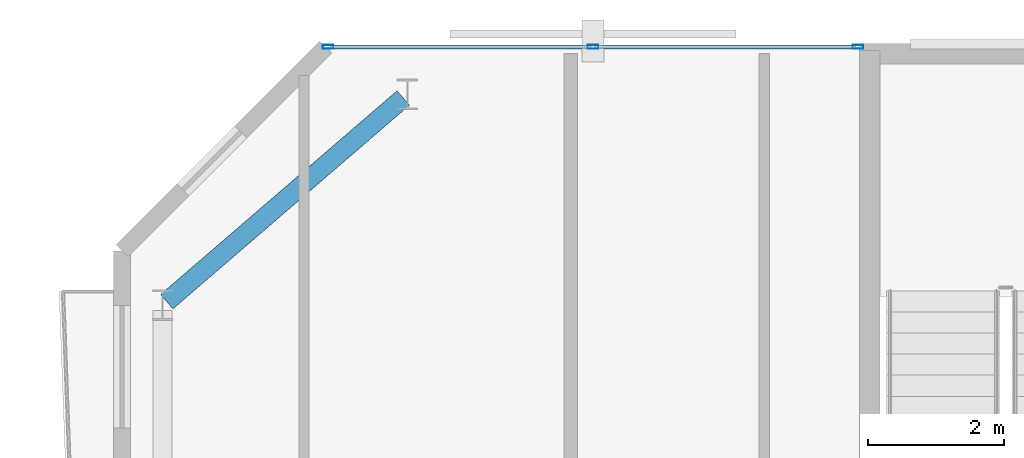
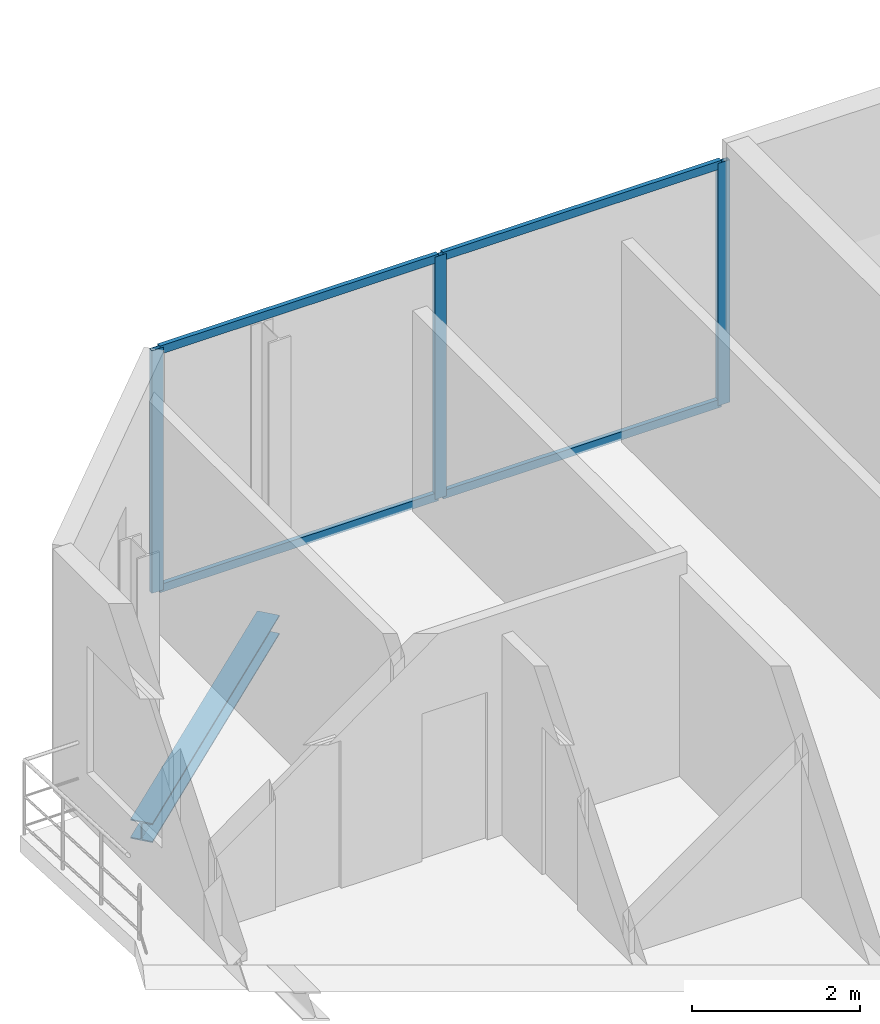
# One storey, part 16 of 22: 7 members, 1 beam, 1 element without a shape of its own.
"""IFC4 building model written with IfcOpenShell, lengths in metres."""

from ifc_helpers import new_model, si_unit, direction, frame, origin, origin_2d, place, context, subcontext, project, spatial, hollow_rectangle, i_section, extrude, material, layer, layer_set, material_profile, profile_set, type_object, element, aggregate, save


model = new_model("IFC4")

# Units and contexts
model_context = context("Model", 3, precision=1e-05, world=origin(), true_north=direction((0.0, 1.0)))
body_context = subcontext(model_context, "Body", "Model", "MODEL_VIEW")
ifc_project = project(units=[si_unit("LENGTHUNIT", "METRE"), si_unit("AREAUNIT", "SQUARE_METRE"), si_unit("VOLUMEUNIT", "CUBIC_METRE"), si_unit("PLANEANGLEUNIT", "RADIAN"), si_unit("MASSUNIT", "GRAM", prefix="KILO")], contexts=[model_context])

# Site, building, storey
site_placement = place(None, origin())
site = spatial("IfcSite", under=ifc_project, at=site_placement, CompositionType="ELEMENT")
building_placement = place(site_placement, origin())
building = spatial("IfcBuilding", under=site, at=building_placement, Name="Catumbela Crestline Tower", CompositionType="ELEMENT")
storey_placement = place(building_placement, frame((0.0, 0.0, 226.0)))
storey = spatial("IfcBuildingStorey", under=building, at=storey_placement, Name="L58", CompositionType="ELEMENT", Elevation=226.0)

# Curtain wall, members
ifc_material_1 = material(Name="Aluminium alloy AW-6060-T66", Category="aluminium")
ifc_layer = layer(ifc_material_1, 0.18, Name="Aluminium alloy AW-6060-T66")
ifc_layer_set = layer_set([ifc_layer], Name="Aluminium alloy AW-6060-T66")
curtain_wall_type = type_object("IfcCurtainWallType", Name="CWU-Z4", PredefinedType="USERDEFINED", material=ifc_layer_set)
curtain_wall_placement = place(storey_placement, origin())
curtain_wall = element("IfcCurtainWall", 1, at=curtain_wall_placement, inside=storey, type_object=curtain_wall_type, Name="L58 Unitised Curtain Wall CW-L58-E7S2", ObjectType="UNITISED", PredefinedType="USERDEFINED")
ifc_material_profile_1 = material_profile(ifc_material_1, hollow_rectangle(XDim=0.06, YDim=0.16, WallThickness=0.004, at=origin_2d()), Name="ALU 160x60x4")
ifc_profile_set_1 = profile_set([ifc_material_profile_1], Name="Aluminium alloy AW-6060-T66")
member_type_1 = type_object("IfcMemberType", Name="MUL-160X60", PredefinedType="MULLION", material=ifc_profile_set_1)
member_1_placement = place(storey_placement, frame((15.8275, 43.0, 0.0), z_axis=(0.0, 0.0, 1.0), x_axis=(0.0, -1.0, 0.0)))
member_1 = element("IfcMember", 2, at=member_1_placement, type_object=member_type_1, Name="CWU-Z4 mullion 1", PredefinedType="MULLION", context=body_context, shape_type="SweptSolid", body=[
    extrude(hollow_rectangle(XDim=0.06, YDim=0.16, WallThickness=0.004, at=origin_2d()), origin(), (0.0, 0.0, 1.0), 3.53),
])
member_2_placement = place(storey_placement, frame((11.93, 43.0, 0.0), z_axis=(0.0, 0.0, 1.0), x_axis=(0.0, -1.0, 0.0)))
member_2 = element("IfcMember", 3, at=member_2_placement, type_object=member_type_1, Name="CWU-Z4 mullion 2", PredefinedType="MULLION", context=body_context, shape_type="SweptSolid", body=[
    extrude(hollow_rectangle(XDim=0.06, YDim=0.16, WallThickness=0.004, at=origin_2d()), origin(), (0.0, 0.0, 1.0), 3.53),
])
member_3_placement = place(storey_placement, frame((8.0325, 43.0, 0.0), z_axis=(0.0, 0.0, 1.0), x_axis=(0.0, -1.0, 0.0)))
member_3 = element("IfcMember", 4, at=member_3_placement, type_object=member_type_1, Name="CWU-Z4 mullion 3", PredefinedType="MULLION", context=body_context, shape_type="SweptSolid", body=[
    extrude(hollow_rectangle(XDim=0.06, YDim=0.16, WallThickness=0.004, at=origin_2d()), origin(), (0.0, 0.0, 1.0), 3.53),
])

# Beam
ifc_material_2 = material(Name="Structural steel S355J2", Category="steel")
ifc_material_profile_2 = material_profile(ifc_material_2, i_section(OverallWidth=0.28, OverallDepth=0.28, WebThickness=0.0105, FlangeThickness=0.018, FilletRadius=0.024, at=origin_2d()), Name="HEB 280")
ifc_profile_set_2 = profile_set([ifc_material_profile_2], Name="Structural steel S355J2")
beam_type = type_object("IfcBeamType", Name="BS-HEB280", PredefinedType="SPANDREL", material=ifc_profile_set_2)
beam_placement = place(storey_placement, frame((5.6606, 39.2522, -0.4), z_axis=(0.757772392559, 0.652518966066, 0.0), x_axis=(-0.652518966066, 0.757772392559, 0.0)))
element("IfcBeam", 5, at=beam_placement, inside=storey, type_object=beam_type, Name="L58 Spandrel SP-L58-N09", PredefinedType="SPANDREL", context=body_context, shape_type="SweptSolid", body=[
    extrude(i_section(OverallWidth=0.28, OverallDepth=0.28, WebThickness=0.0105, FlangeThickness=0.018, FilletRadius=0.024, at=origin_2d()), origin(), (0.0, 0.0, 1.0), 4.5908),
])

# Member
ifc_material_profile_3 = material_profile(ifc_material_1, hollow_rectangle(XDim=0.06, YDim=0.12, WallThickness=0.0035, at=origin_2d()), Name="ALU 120x60x3.5")
ifc_profile_set_3 = profile_set([ifc_material_profile_3], Name="Aluminium alloy AW-6060-T66")
member_type_2 = type_object("IfcMemberType", Name="TRN-120X60", PredefinedType="USERDEFINED", material=ifc_profile_set_3)
member_4_placement = place(storey_placement, frame((15.795, 43.0, 0.03), z_axis=(-1.0, 0.0, 0.0), x_axis=(0.0, -1.0, 0.0)))
member_4 = element("IfcMember", 6, at=member_4_placement, type_object=member_type_2, Name="CWU-Z4 transom 1.1", ObjectType="TRANSOM", PredefinedType="USERDEFINED", context=body_context, shape_type="SweptSolid", body=[
    extrude(hollow_rectangle(XDim=0.06, YDim=0.12, WallThickness=0.0035, at=origin_2d()), origin(), (0.0, 0.0, 1.0), 3.8325),
])

member_5_placement = place(storey_placement, frame((15.795, 43.0, 3.5), z_axis=(-1.0, 0.0, 0.0), x_axis=(0.0, -1.0, 0.0)))
member_5 = element("IfcMember", 7, at=member_5_placement, type_object=member_type_2, Name="CWU-Z4 transom 1.2", ObjectType="TRANSOM", PredefinedType="USERDEFINED", context=body_context, shape_type="SweptSolid", body=[
    extrude(hollow_rectangle(XDim=0.06, YDim=0.12, WallThickness=0.0035, at=origin_2d()), origin(), (0.0, 0.0, 1.0), 3.8325),
])

member_6_placement = place(storey_placement, frame((11.8975, 43.0, 0.03), z_axis=(-1.0, 0.0, 0.0), x_axis=(0.0, -1.0, 0.0)))
member_6 = element("IfcMember", 8, at=member_6_placement, type_object=member_type_2, Name="CWU-Z4 transom 2.1", ObjectType="TRANSOM", PredefinedType="USERDEFINED", context=body_context, shape_type="SweptSolid", body=[
    extrude(hollow_rectangle(XDim=0.06, YDim=0.12, WallThickness=0.0035, at=origin_2d()), origin(), (0.0, 0.0, 1.0), 3.8325),
])

member_7_placement = place(storey_placement, frame((11.8975, 43.0, 3.5), z_axis=(-1.0, 0.0, 0.0), x_axis=(0.0, -1.0, 0.0)))
member_7 = element("IfcMember", 9, at=member_7_placement, type_object=member_type_2, Name="CWU-Z4 transom 2.2", ObjectType="TRANSOM", PredefinedType="USERDEFINED", context=body_context, shape_type="SweptSolid", body=[
    extrude(hollow_rectangle(XDim=0.06, YDim=0.12, WallThickness=0.0035, at=origin_2d()), origin(), (0.0, 0.0, 1.0), 3.8325),
])

aggregate(curtain_wall, [member_1, member_2, member_3, member_4, member_5, member_6, member_7])

save(model, "model.ifc")
